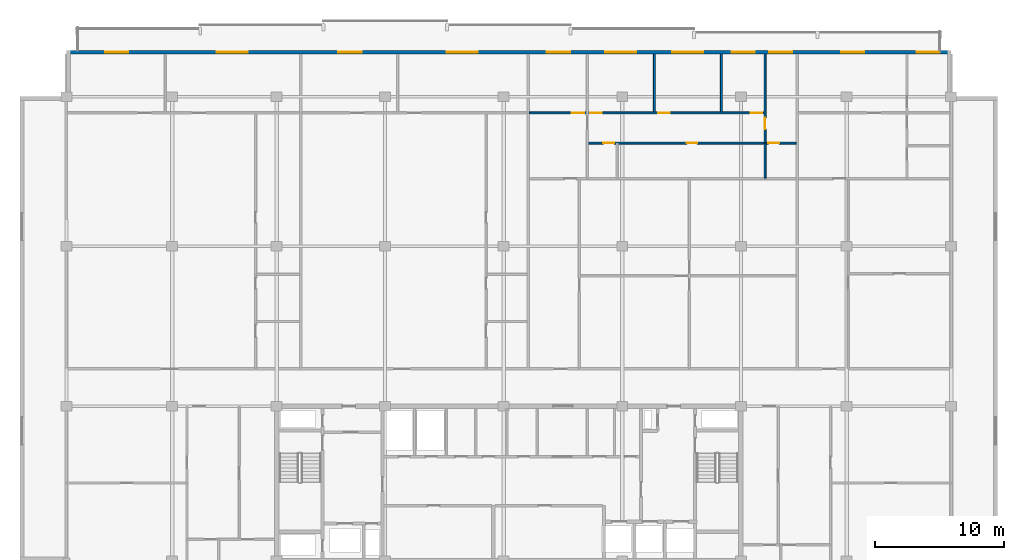
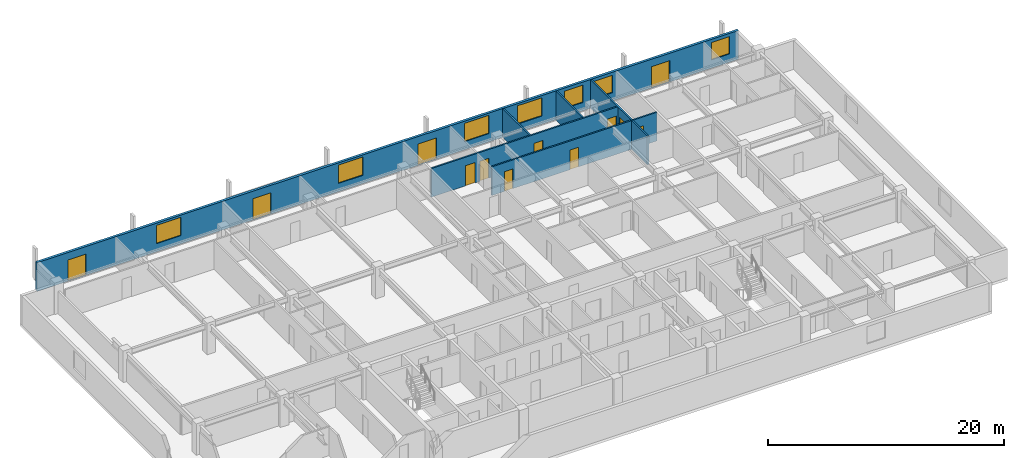
# One storey, part 15 of 22: 12 doors, 7 walls, 7 windows, 19 openings.
"""IFC4 building model written with IfcOpenShell, lengths in metres."""

from ifc_helpers import new_model, si_unit, direction, frame, frame_2d, origin, place, context, subcontext, project, spatial, rectangle, extrude, material, layer, layer_set, type_object, element, fill, save


model = new_model("IFC4")

# Units and contexts
model_context = context("Model", 3, precision=1e-05, world=origin(), true_north=direction((0.0, 1.0)))
body_context = subcontext(model_context, "Body", "Model", "MODEL_VIEW")
ifc_project = project(units=[si_unit("LENGTHUNIT", "METRE"), si_unit("AREAUNIT", "SQUARE_METRE"), si_unit("VOLUMEUNIT", "CUBIC_METRE"), si_unit("PLANEANGLEUNIT", "RADIAN"), si_unit("MASSUNIT", "GRAM", prefix="KILO")], contexts=[model_context])

# Site, building, storey
site_placement = place(None, origin())
site = spatial("IfcSite", under=ifc_project, at=site_placement, CompositionType="ELEMENT")
building_placement = place(site_placement, origin())
building = spatial("IfcBuilding", under=site, at=building_placement, Name="Korimba Cascade Residences", CompositionType="ELEMENT")
storey_placement = place(building_placement, frame((0.0, 0.0, 191.35009765625)))
storey = spatial("IfcBuildingStorey", under=building, at=storey_placement, Name="L55", CompositionType="ELEMENT", Elevation=191.35009765625)

# Wall, openings, doors, windows
ifc_material_1 = material(Name="Precast concrete C40/50", Category="concrete")
ifc_layer_1 = layer(ifc_material_1, 0.25)
ifc_layer_set_1 = layer_set([ifc_layer_1], Name="Precast concrete C40/50")
wall_type_1 = type_object("IfcWallType", Name="EW-LOG-250", PredefinedType="STANDARD", material=ifc_layer_set_1)
wall_1_placement = place(storey_placement, frame((128.39990234375, 94.64990234375, 0.0), z_axis=(0.0, 0.0, 1.0), x_axis=(-1.0, 0.0, 0.0)))
wall_1 = element("IfcWall", 1, at=wall_1_placement, inside=storey, type_object=wall_type_1, Name="L55 T1 Perimeter Stone Wall E06", PredefinedType="STANDARD", context=body_context, shape_type="SweptSolid", body=[
    extrude(rectangle(XDim=68.599853515625, YDim=0.25, at=frame_2d((34.2998046875, 0.0))), origin(), (0.0, 0.0, 1.0), 2.969970703125),
])
opening_1_placement = place(wall_1_placement, frame((63.807861328125, 0.0, 0.0)))
opening_1 = element("IfcOpeningElement", 2, at=opening_1_placement, cuts=wall_1, Name="Opening D-LG1", PredefinedType="OPENING", context=body_context, shape_type="SweptSolid", body=[
    extrude(rectangle(XDim=1.800048828125, YDim=2.199951171875, at=frame_2d((0.89990234375, 1.10009765625))), frame((0.0, 0.135009765625, 0.0), z_axis=(0.0, -1.0, 0.0), x_axis=(1.0, 0.0, 0.0)), (0.0, 0.0, 1.0), 0.27001953125),
])
opening_2_placement = place(wall_1_placement, frame((54.5439453125, 0.0, 0.85009765625)))
opening_2 = element("IfcOpeningElement", 3, at=opening_2_placement, cuts=wall_1, Name="Opening W-01", PredefinedType="OPENING", context=body_context, shape_type="SweptSolid", body=[
    extrude(rectangle(XDim=2.39990234375, YDim=1.89990234375, at=frame_2d((1.199951171875, 0.949951171875))), frame((0.0, 0.135009765625, 0.0), z_axis=(0.0, -1.0, 0.0), x_axis=(1.0, 0.0, 0.0)), (0.0, 0.0, 1.0), 0.27001953125),
])
opening_3_placement = place(wall_1_placement, frame((45.71337890625, 0.0, 0.0)))
opening_3 = element("IfcOpeningElement", 4, at=opening_3_placement, cuts=wall_1, Name="Opening D-LG1", PredefinedType="OPENING", context=body_context, shape_type="SweptSolid", body=[
    extrude(rectangle(XDim=1.800048828125, YDim=2.199951171875, at=frame_2d((0.89990234375, 1.10009765625))), frame((0.0, 0.135009765625, 0.0), z_axis=(0.0, -1.0, 0.0), x_axis=(1.0, 0.0, 0.0)), (0.0, 0.0, 1.0), 0.27001953125),
])
opening_4_placement = place(wall_1_placement, frame((36.7119140625, 0.0, 0.85009765625)))
opening_4 = element("IfcOpeningElement", 5, at=opening_4_placement, cuts=wall_1, Name="Opening W-01", PredefinedType="OPENING", context=body_context, shape_type="SweptSolid", body=[
    extrude(rectangle(XDim=2.39990234375, YDim=1.89990234375, at=frame_2d((1.199951171875, 0.949951171875))), frame((0.0, 0.135009765625, 0.0), z_axis=(0.0, -1.0, 0.0), x_axis=(1.0, 0.0, 0.0)), (0.0, 0.0, 1.0), 0.27001953125),
])
opening_5_placement = place(wall_1_placement, frame((24.40869140625, 0.0, 0.85009765625)))
opening_5 = element("IfcOpeningElement", 6, at=opening_5_placement, cuts=wall_1, Name="Opening W-01", PredefinedType="OPENING", context=body_context, shape_type="SweptSolid", body=[
    extrude(rectangle(XDim=2.39990234375, YDim=1.89990234375, at=frame_2d((1.199951171875, 0.949951171875))), frame((0.0, 0.135009765625, 0.0), z_axis=(0.0, -1.0, 0.0), x_axis=(1.0, 0.0, 0.0)), (0.0, 0.0, 1.0), 0.27001953125),
])
opening_6_placement = place(wall_1_placement, frame((19.20849609375, 0.0, 0.85009765625)))
opening_6 = element("IfcOpeningElement", 7, at=opening_6_placement, cuts=wall_1, Name="Opening W-01", PredefinedType="OPENING", context=body_context, shape_type="SweptSolid", body=[
    extrude(rectangle(XDim=2.39990234375, YDim=1.89990234375, at=frame_2d((1.199951171875, 0.949951171875))), frame((0.0, 0.135009765625, 0.0), z_axis=(0.0, -1.0, 0.0), x_axis=(1.0, 0.0, 0.0)), (0.0, 0.0, 1.0), 0.27001953125),
])
opening_7_placement = place(wall_1_placement, frame((15.21435546875, 0.0, 0.85009765625)))
opening_7 = element("IfcOpeningElement", 8, at=opening_7_placement, cuts=wall_1, Name="Opening W-02", PredefinedType="OPENING", context=body_context, shape_type="SweptSolid", body=[
    extrude(rectangle(XDim=1.800048828125, YDim=1.800048828125, at=frame_2d((0.89990234375, 0.89990234375))), frame((0.0, 0.135009765625, 0.0), z_axis=(0.0, -1.0, 0.0), x_axis=(1.0, 0.0, 0.0)), (0.0, 0.0, 1.0), 0.27001953125),
])
opening_8_placement = place(wall_1_placement, frame((29.53857421875, 0.0, 0.0)))
opening_8 = element("IfcOpeningElement", 9, at=opening_8_placement, cuts=wall_1, Name="Opening D-LG1", PredefinedType="OPENING", context=body_context, shape_type="SweptSolid", body=[
    extrude(rectangle(XDim=1.800048828125, YDim=2.199951171875, at=frame_2d((0.89990234375, 1.10009765625))), frame((0.0, 0.135009765625, 0.0), z_axis=(0.0, -1.0, 0.0), x_axis=(1.0, 0.0, 0.0)), (0.0, 0.0, 1.0), 0.27001953125),
])
opening_9_placement = place(wall_1_placement, frame((12.31884765625, 0.0, 0.85009765625)))
opening_9 = element("IfcOpeningElement", 10, at=opening_9_placement, cuts=wall_1, Name="Opening W-02", PredefinedType="OPENING", context=body_context, shape_type="SweptSolid", body=[
    extrude(rectangle(XDim=1.800048828125, YDim=1.800048828125, at=frame_2d((0.89990234375, 0.89990234375))), frame((0.0, 0.135009765625, 0.0), z_axis=(0.0, -1.0, 0.0), x_axis=(1.0, 0.0, 0.0)), (0.0, 0.0, 1.0), 0.27001953125),
])
opening_10_placement = place(wall_1_placement, frame((6.723876953125, 0.0, 0.0)))
opening_10 = element("IfcOpeningElement", 11, at=opening_10_placement, cuts=wall_1, Name="Opening D-LG1", PredefinedType="OPENING", context=body_context, shape_type="SweptSolid", body=[
    extrude(rectangle(XDim=1.800048828125, YDim=2.199951171875, at=frame_2d((0.89990234375, 1.10009765625))), frame((0.0, 0.135009765625, 0.0), z_axis=(0.0, -1.0, 0.0), x_axis=(1.0, 0.0, 0.0)), (0.0, 0.0, 1.0), 0.27001953125),
])
opening_11_placement = place(wall_1_placement, frame((0.8701171875, 0.0, 0.85009765625)))
opening_11 = element("IfcOpeningElement", 12, at=opening_11_placement, cuts=wall_1, Name="Opening W-02", PredefinedType="OPENING", context=body_context, shape_type="SweptSolid", body=[
    extrude(rectangle(XDim=1.800048828125, YDim=1.800048828125, at=frame_2d((0.89990234375, 0.89990234375))), frame((0.0, 0.135009765625, 0.0), z_axis=(0.0, -1.0, 0.0), x_axis=(1.0, 0.0, 0.0)), (0.0, 0.0, 1.0), 0.27001953125),
])
ifc_material_2 = material(Name="Glazed Aluminium Loggia Sliding Door", Category="aluminium")
door_type_1 = type_object("IfcDoorType", Name="DR-EXT-LOG", OperationType="NOTDEFINED", PredefinedType="DOOR", material=ifc_material_2)
door_1_placement = place(opening_1_placement, origin())
door_1 = element("IfcDoor", 13, at=door_1_placement, inside=storey, type_object=door_type_1, Name="L55 T1 Loggia Sliding Door 3", OperationType="SLIDING_TO_LEFT", OverallHeight=2.199951171875, OverallWidth=1.800048828125, PredefinedType="DOOR", context=body_context, shape_type="SweptSolid", body=[
    extrude(rectangle(XDim=1.800048828125, YDim=2.199951171875, at=frame_2d((0.89990234375, 1.10009765625))), frame((0.0, 0.02490234375, 0.0), z_axis=(0.0, -1.0, 0.0), x_axis=(1.0, 0.0, 0.0)), (0.0, 0.0, 1.0), 0.050048828125),
])
fill(opening_1, door_1)
door_2_placement = place(opening_3_placement, origin())
door_2 = element("IfcDoor", 14, at=door_2_placement, inside=storey, type_object=door_type_1, Name="L55 T1 Loggia Sliding Door 5", OperationType="SLIDING_TO_LEFT", OverallHeight=2.199951171875, OverallWidth=1.800048828125, PredefinedType="DOOR", context=body_context, shape_type="SweptSolid", body=[
    extrude(rectangle(XDim=1.800048828125, YDim=2.199951171875, at=frame_2d((0.89990234375, 1.10009765625))), frame((0.0, 0.02490234375, 0.0), z_axis=(0.0, -1.0, 0.0), x_axis=(1.0, 0.0, 0.0)), (0.0, 0.0, 1.0), 0.050048828125),
])
fill(opening_3, door_2)
door_3_placement = place(opening_8_placement, origin())
door_3 = element("IfcDoor", 15, at=door_3_placement, inside=storey, type_object=door_type_1, Name="L55 T1 Loggia Sliding Door 10", OperationType="SLIDING_TO_LEFT", OverallHeight=2.199951171875, OverallWidth=1.800048828125, PredefinedType="DOOR", context=body_context, shape_type="SweptSolid", body=[
    extrude(rectangle(XDim=1.800048828125, YDim=2.199951171875, at=frame_2d((0.89990234375, 1.10009765625))), frame((0.0, 0.02490234375, 0.0), z_axis=(0.0, -1.0, 0.0), x_axis=(1.0, 0.0, 0.0)), (0.0, 0.0, 1.0), 0.050048828125),
])
fill(opening_8, door_3)
door_4_placement = place(opening_10_placement, origin())
door_4 = element("IfcDoor", 16, at=door_4_placement, inside=storey, type_object=door_type_1, Name="L55 T1 Loggia Sliding Door 12", OperationType="SLIDING_TO_LEFT", OverallHeight=2.199951171875, OverallWidth=1.800048828125, PredefinedType="DOOR", context=body_context, shape_type="SweptSolid", body=[
    extrude(rectangle(XDim=1.800048828125, YDim=2.199951171875, at=frame_2d((0.89990234375, 1.10009765625))), frame((0.0, 0.02490234375, 0.0), z_axis=(0.0, -1.0, 0.0), x_axis=(1.0, 0.0, 0.0)), (0.0, 0.0, 1.0), 0.050048828125),
])
fill(opening_10, door_4)
ifc_material_3 = material(Name="Double-Glazed Aluminium Window", Category="aluminium")
window_type_1 = type_object("IfcWindowType", Name="WIN-BED-1800", PartitioningType="SINGLE_PANEL", PredefinedType="WINDOW", material=ifc_material_3)
window_1_placement = place(opening_7_placement, origin())
window_1 = element("IfcWindow", 17, at=window_1_placement, inside=storey, type_object=window_type_1, Name="L55 T1 North Facade Window 9", OverallHeight=1.800048828125, OverallWidth=1.800048828125, PartitioningType="SINGLE_PANEL", PredefinedType="WINDOW", context=body_context, shape_type="SweptSolid", body=[
    extrude(rectangle(XDim=1.800048828125, YDim=1.800048828125, at=frame_2d((0.89990234375, 0.89990234375))), frame((0.0, 0.030029296875, 0.0), z_axis=(0.0, -1.0, 0.0), x_axis=(1.0, 0.0, 0.0)), (0.0, 0.0, 1.0), 0.06005859375),
])
fill(opening_7, window_1)
window_2_placement = place(opening_9_placement, origin())
window_2 = element("IfcWindow", 18, at=window_2_placement, inside=storey, type_object=window_type_1, Name="L55 T1 North Facade Window 11", OverallHeight=1.800048828125, OverallWidth=1.800048828125, PartitioningType="SINGLE_PANEL", PredefinedType="WINDOW", context=body_context, shape_type="SweptSolid", body=[
    extrude(rectangle(XDim=1.800048828125, YDim=1.800048828125, at=frame_2d((0.89990234375, 0.89990234375))), frame((0.0, 0.030029296875, 0.0), z_axis=(0.0, -1.0, 0.0), x_axis=(1.0, 0.0, 0.0)), (0.0, 0.0, 1.0), 0.06005859375),
])
fill(opening_9, window_2)
window_3_placement = place(opening_11_placement, origin())
window_3 = element("IfcWindow", 19, at=window_3_placement, inside=storey, type_object=window_type_1, Name="L55 T1 North Facade Window 13", OverallHeight=1.800048828125, OverallWidth=1.800048828125, PartitioningType="SINGLE_PANEL", PredefinedType="WINDOW", context=body_context, shape_type="SweptSolid", body=[
    extrude(rectangle(XDim=1.800048828125, YDim=1.800048828125, at=frame_2d((0.89990234375, 0.89990234375))), frame((0.0, 0.030029296875, 0.0), z_axis=(0.0, -1.0, 0.0), x_axis=(1.0, 0.0, 0.0)), (0.0, 0.0, 1.0), 0.06005859375),
])
fill(opening_11, window_3)
window_type_2 = type_object("IfcWindowType", Name="WIN-RES-2400", PartitioningType="DOUBLE_PANEL_VERTICAL", PredefinedType="WINDOW", material=ifc_material_3)
window_4_placement = place(opening_2_placement, origin())
window_4 = element("IfcWindow", 20, at=window_4_placement, inside=storey, type_object=window_type_2, Name="L55 T1 North Facade Window 4", OverallHeight=1.89990234375, OverallWidth=2.39990234375, PartitioningType="DOUBLE_PANEL_VERTICAL", PredefinedType="WINDOW", context=body_context, shape_type="SweptSolid", body=[
    extrude(rectangle(XDim=2.39990234375, YDim=1.89990234375, at=frame_2d((1.199951171875, 0.949951171875))), frame((0.0, 0.030029296875, 0.0), z_axis=(0.0, -1.0, 0.0), x_axis=(1.0, 0.0, 0.0)), (0.0, 0.0, 1.0), 0.06005859375),
])
fill(opening_2, window_4)
window_5_placement = place(opening_4_placement, origin())
window_5 = element("IfcWindow", 21, at=window_5_placement, inside=storey, type_object=window_type_2, Name="L55 T1 North Facade Window 6", OverallHeight=1.89990234375, OverallWidth=2.39990234375, PartitioningType="DOUBLE_PANEL_VERTICAL", PredefinedType="WINDOW", context=body_context, shape_type="SweptSolid", body=[
    extrude(rectangle(XDim=2.39990234375, YDim=1.89990234375, at=frame_2d((1.199951171875, 0.949951171875))), frame((0.0, 0.030029296875, 0.0), z_axis=(0.0, -1.0, 0.0), x_axis=(1.0, 0.0, 0.0)), (0.0, 0.0, 1.0), 0.06005859375),
])
fill(opening_4, window_5)
window_6_placement = place(opening_5_placement, origin())
window_6 = element("IfcWindow", 22, at=window_6_placement, inside=storey, type_object=window_type_2, Name="L55 T1 North Facade Window 7", OverallHeight=1.89990234375, OverallWidth=2.39990234375, PartitioningType="DOUBLE_PANEL_VERTICAL", PredefinedType="WINDOW", context=body_context, shape_type="SweptSolid", body=[
    extrude(rectangle(XDim=2.39990234375, YDim=1.89990234375, at=frame_2d((1.199951171875, 0.949951171875))), frame((0.0, 0.030029296875, 0.0), z_axis=(0.0, -1.0, 0.0), x_axis=(1.0, 0.0, 0.0)), (0.0, 0.0, 1.0), 0.06005859375),
])
fill(opening_5, window_6)
window_7_placement = place(opening_6_placement, origin())
window_7 = element("IfcWindow", 23, at=window_7_placement, inside=storey, type_object=window_type_2, Name="L55 T1 North Facade Window 8", OverallHeight=1.89990234375, OverallWidth=2.39990234375, PartitioningType="DOUBLE_PANEL_VERTICAL", PredefinedType="WINDOW", context=body_context, shape_type="SweptSolid", body=[
    extrude(rectangle(XDim=2.39990234375, YDim=1.89990234375, at=frame_2d((1.199951171875, 0.949951171875))), frame((0.0, 0.030029296875, 0.0), z_axis=(0.0, -1.0, 0.0), x_axis=(1.0, 0.0, 0.0)), (0.0, 0.0, 1.0), 0.06005859375),
])
fill(opening_6, window_7)

# Walls
ifc_material_4 = material(Name="Insulated Acoustic Stud Partition", Category="gypsum")
ifc_layer_2 = layer(ifc_material_4, 0.14990234375)
ifc_layer_set_2 = layer_set([ifc_layer_2], Name="Insulated Acoustic Stud Partition")
wall_type_2 = type_object("IfcWallType", Name="WAL-PART-150", PredefinedType="PARTITIONING", material=ifc_layer_set_2)
for number, where, z_axis, x_axis, name in (
    (24, (105.391357421875, 90.030029296875, 0.0), (0.0, 0.0, 1.0), (0.0, 1.0, 0.0), "L55 Partition Wall WAL-L55-T1-U03-VB2"),
    (25, (110.59130859375, 90.030029296875, 0.0), (0.0, 0.0, 1.0), (0.0, 1.0, 0.0), "L55 Partition Wall WAL-L55-T1-U03-VB3"),
):
    element("IfcWall", number, at=place(storey_placement, frame(where, z_axis=z_axis, x_axis=x_axis)), inside=storey, type_object=wall_type_2, Name=name, PredefinedType="PARTITIONING", context=body_context, shape_type="SweptSolid", body=[
        extrude(rectangle(XDim=4.469970703125, YDim=0.14990234375, at=frame_2d((2.23486328125, 0.0))), origin(), (0.0, 0.0, 1.0), 2.969970703125),
    ])
wall_2_placement = place(storey_placement, frame((113.97998046875, 84.889892578125, 0.0), z_axis=(0.0, 0.0, 1.0), x_axis=(0.0, 1.0, 0.0)))
element("IfcWall", 26, at=wall_2_placement, inside=storey, type_object=wall_type_2, Name="L55 Partition Wall WAL-L55-T1-U03-VBATH", PredefinedType="PARTITIONING", context=body_context, shape_type="SweptSolid", body=[
    extrude(rectangle(XDim=2.690185546875, YDim=0.14990234375, at=frame_2d((1.34521484375, 0.0))), origin(), (0.0, 0.0, 1.0), 2.969970703125),
])

# Wall, opening, door
wall_3_placement = place(storey_placement, frame((113.97998046875, 87.6201171875, 0.0), z_axis=(0.0, 0.0, 1.0), x_axis=(0.0, 1.0, 0.0)))
wall_3 = element("IfcWall", 27, at=wall_3_placement, inside=storey, type_object=wall_type_2, Name="L55 Partition Wall WAL-L55-T1-U03-V2FULL", PredefinedType="PARTITIONING", context=body_context, shape_type="SweptSolid", body=[
    extrude(rectangle(XDim=6.8798828125, YDim=0.14990234375, at=frame_2d((3.43994140625, 0.0))), origin(), (0.0, 0.0, 1.0), 2.969970703125),
])
opening_12_placement = place(wall_3_placement, frame((1.040283203125, 0.0, 0.0)))
opening_12 = element("IfcOpeningElement", 28, at=opening_12_placement, cuts=wall_3, Name="Opening D-IN1", PredefinedType="OPENING", context=body_context, shape_type="SweptSolid", body=[
    extrude(rectangle(XDim=0.919921875, YDim=2.080078125, at=frame_2d((0.4599609375, 1.0400390625))), frame((0.0, 0.0849609375, 0.0), z_axis=(0.0, -1.0, 0.0), x_axis=(1.0, 0.0, 0.0)), (0.0, 0.0, 1.0), 0.169921875),
])
ifc_material_5 = material(Name="Acoustic Timber Living Door", Category="wood")
door_type_2 = type_object("IfcDoorType", Name="DR-INT-920", OperationType="NOTDEFINED", PredefinedType="DOOR", material=ifc_material_5)
door_5_placement = place(opening_12_placement, origin())
door_5 = element("IfcDoor", 29, at=door_5_placement, inside=storey, type_object=door_type_2, Name="L55-T1-U03 Master Bedroom Door", OperationType="SINGLE_SWING_RIGHT", OverallHeight=2.080078125, OverallWidth=0.919921875, PredefinedType="DOOR", context=body_context, shape_type="SweptSolid", body=[
    extrude(rectangle(XDim=0.919921875, YDim=2.080078125, at=frame_2d((0.4599609375, 1.0400390625))), frame((0.0, 0.02490234375, 0.0), z_axis=(0.0, -1.0, 0.0), x_axis=(1.0, 0.0, 0.0)), (0.0, 0.0, 1.0), 0.050048828125),
])
fill(opening_12, door_5)

# Wall, openings, doors
wall_4_placement = place(storey_placement, frame((100.2314453125, 87.60009765625, 0.0), z_axis=(0.0, 0.0, 1.0), x_axis=(1.0, 0.0, 0.0)))
wall_4 = element("IfcWall", 30, at=wall_4_placement, inside=storey, type_object=wall_type_2, Name="L55 Partition Wall WAL-L55-T1-U03-HWALL", PredefinedType="PARTITIONING", context=body_context, shape_type="SweptSolid", body=[
    extrude(rectangle(XDim=16.140869140625, YDim=0.14990234375, at=frame_2d((8.0703125, 0.0))), origin(), (0.0, 0.0, 1.0), 2.969970703125),
])
opening_13_placement = place(wall_4_placement, frame((1.2099609375, 0.0, 0.0)))
opening_13 = element("IfcOpeningElement", 31, at=opening_13_placement, cuts=wall_4, Name="Opening D-BT1", PredefinedType="OPENING", context=body_context, shape_type="SweptSolid", body=[
    extrude(rectangle(XDim=0.840087890625, YDim=2.0400390625, at=frame_2d((0.419921875, 1.02001953125))), frame((0.0, 0.0849609375, 0.0), z_axis=(0.0, -1.0, 0.0), x_axis=(1.0, 0.0, 0.0)), (0.0, 0.0, 1.0), 0.169921875),
])
opening_14_placement = place(wall_4_placement, frame((7.650390625, 0.0, 0.0)))
opening_14 = element("IfcOpeningElement", 32, at=opening_14_placement, cuts=wall_4, Name="Opening D-BT1", PredefinedType="OPENING", context=body_context, shape_type="SweptSolid", body=[
    extrude(rectangle(XDim=0.840087890625, YDim=2.0400390625, at=frame_2d((0.419921875, 1.02001953125))), frame((0.0, 0.0849609375, 0.0), z_axis=(0.0, -1.0, 0.0), x_axis=(1.0, 0.0, 0.0)), (0.0, 0.0, 1.0), 0.169921875),
])
opening_15_placement = place(wall_4_placement, frame((13.99853515625, 0.0, 0.0)))
opening_15 = element("IfcOpeningElement", 33, at=opening_15_placement, cuts=wall_4, Name="Opening D-BT1", PredefinedType="OPENING", context=body_context, shape_type="SweptSolid", body=[
    extrude(rectangle(XDim=0.840087890625, YDim=2.0400390625, at=frame_2d((0.419921875, 1.02001953125))), frame((0.0, 0.0849609375, 0.0), z_axis=(0.0, -1.0, 0.0), x_axis=(1.0, 0.0, 0.0)), (0.0, 0.0, 1.0), 0.169921875),
])
ifc_material_6 = material(Name="Moisture-Resistant Bathroom Timber Door", Category="wood")
door_type_3 = type_object("IfcDoorType", Name="DR-INT-850", OperationType="NOTDEFINED", PredefinedType="DOOR", material=ifc_material_6)
door_6_placement = place(opening_13_placement, origin())
door_6 = element("IfcDoor", 34, at=door_6_placement, inside=storey, type_object=door_type_3, Name="L55-T1-U03 Family Bathroom Door", OperationType="SINGLE_SWING_LEFT", OverallHeight=2.0400390625, OverallWidth=0.840087890625, PredefinedType="DOOR", context=body_context, shape_type="SweptSolid", body=[
    extrude(rectangle(XDim=0.840087890625, YDim=2.0400390625, at=frame_2d((0.419921875, 1.02001953125))), frame((0.0, 0.02490234375, 0.0), z_axis=(0.0, -1.0, 0.0), x_axis=(1.0, 0.0, 0.0)), (0.0, 0.0, 1.0), 0.050048828125),
])
fill(opening_13, door_6)
door_7_placement = place(opening_14_placement, origin())
door_7 = element("IfcDoor", 35, at=door_7_placement, inside=storey, type_object=door_type_3, Name="L55-T1-U03 Dressing Room Door", OperationType="SINGLE_SWING_RIGHT", OverallHeight=2.0400390625, OverallWidth=0.840087890625, PredefinedType="DOOR", context=body_context, shape_type="SweptSolid", body=[
    extrude(rectangle(XDim=0.840087890625, YDim=2.0400390625, at=frame_2d((0.419921875, 1.02001953125))), frame((0.0, 0.02490234375, 0.0), z_axis=(0.0, -1.0, 0.0), x_axis=(1.0, 0.0, 0.0)), (0.0, 0.0, 1.0), 0.050048828125),
])
fill(opening_14, door_7)
door_8_placement = place(opening_15_placement, origin())
door_8 = element("IfcDoor", 36, at=door_8_placement, inside=storey, type_object=door_type_3, Name="L55-T1-U03 En-Suite Door", OperationType="SINGLE_SWING_LEFT", OverallHeight=2.0400390625, OverallWidth=0.840087890625, PredefinedType="DOOR", context=body_context, shape_type="SweptSolid", body=[
    extrude(rectangle(XDim=0.840087890625, YDim=2.0400390625, at=frame_2d((0.419921875, 1.02001953125))), frame((0.0, 0.02490234375, 0.0), z_axis=(0.0, -1.0, 0.0), x_axis=(1.0, 0.0, 0.0)), (0.0, 0.0, 1.0), 0.050048828125),
])
fill(opening_15, door_8)

wall_5_placement = place(storey_placement, frame((95.69140625, 89.949951171875, 0.0), z_axis=(0.0, 0.0, 1.0), x_axis=(1.0, 0.0, 0.0)))
wall_5 = element("IfcWall", 37, at=wall_5_placement, inside=storey, type_object=wall_type_2, Name="L55 Partition Wall WAL-L55-T1-U03-HZ", PredefinedType="PARTITIONING", context=body_context, shape_type="SweptSolid", body=[
    extrude(rectangle(XDim=18.28857421875, YDim=0.14990234375, at=frame_2d((9.144287109375, 0.0))), origin(), (0.0, 0.0, 1.0), 2.969970703125),
])
opening_16_placement = place(wall_5_placement, frame((3.31005859375, 0.0, 0.0)))
opening_16 = element("IfcOpeningElement", 38, at=opening_16_placement, cuts=wall_5, Name="Opening D-IN0", PredefinedType="OPENING", context=body_context, shape_type="SweptSolid", body=[
    extrude(rectangle(XDim=0.93994140625, YDim=2.10009765625, at=frame_2d((0.469970703125, 1.050048828125))), frame((0.0, 0.0849609375, 0.0), z_axis=(0.0, -1.0, 0.0), x_axis=(1.0, 0.0, 0.0)), (0.0, 0.0, 1.0), 0.169921875),
])
opening_17_placement = place(wall_5_placement, frame((4.719970703125, 0.0, 0.0)))
opening_17 = element("IfcOpeningElement", 39, at=opening_17_placement, cuts=wall_5, Name="Opening D-IN2", PredefinedType="OPENING", context=body_context, shape_type="SweptSolid", body=[
    extrude(rectangle(XDim=0.8798828125, YDim=2.06005859375, at=frame_2d((0.43994140625, 1.030029296875))), frame((0.0, 0.0849609375, 0.0), z_axis=(0.0, -1.0, 0.0), x_axis=(1.0, 0.0, 0.0)), (0.0, 0.0, 1.0), 0.169921875),
])
opening_18_placement = place(wall_5_placement, frame((9.99755859375, 0.0, 0.0)))
opening_18 = element("IfcOpeningElement", 40, at=opening_18_placement, cuts=wall_5, Name="Opening D-IN2", PredefinedType="OPENING", context=body_context, shape_type="SweptSolid", body=[
    extrude(rectangle(XDim=0.8798828125, YDim=2.06005859375, at=frame_2d((0.43994140625, 1.030029296875))), frame((0.0, 0.0849609375, 0.0), z_axis=(0.0, -1.0, 0.0), x_axis=(1.0, 0.0, 0.0)), (0.0, 0.0, 1.0), 0.169921875),
])
opening_19_placement = place(wall_5_placement, frame((17.188720703125, 0.0, 0.0)))
opening_19 = element("IfcOpeningElement", 41, at=opening_19_placement, cuts=wall_5, Name="Opening D-IN2", PredefinedType="OPENING", context=body_context, shape_type="SweptSolid", body=[
    extrude(rectangle(XDim=0.8798828125, YDim=2.06005859375, at=frame_2d((0.43994140625, 1.030029296875))), frame((0.0, 0.0849609375, 0.0), z_axis=(0.0, -1.0, 0.0), x_axis=(1.0, 0.0, 0.0)), (0.0, 0.0, 1.0), 0.169921875),
])
ifc_material_7 = material(Name="Acoustic Timber Bedroom Door", Category="wood")
door_type_4 = type_object("IfcDoorType", Name="DR-INT-880", OperationType="NOTDEFINED", PredefinedType="DOOR", material=ifc_material_7)
door_9_placement = place(opening_17_placement, origin())
door_9 = element("IfcDoor", 42, at=door_9_placement, inside=storey, type_object=door_type_4, Name="L55-T1-U03 Bedroom 2 Door", OperationType="SINGLE_SWING_RIGHT", OverallHeight=2.06005859375, OverallWidth=0.8798828125, PredefinedType="DOOR", context=body_context, shape_type="SweptSolid", body=[
    extrude(rectangle(XDim=0.8798828125, YDim=2.06005859375, at=frame_2d((0.43994140625, 1.030029296875))), frame((0.0, 0.02490234375, 0.0), z_axis=(0.0, -1.0, 0.0), x_axis=(1.0, 0.0, 0.0)), (0.0, 0.0, 1.0), 0.050048828125),
])
fill(opening_17, door_9)
door_10_placement = place(opening_18_placement, origin())
door_10 = element("IfcDoor", 43, at=door_10_placement, inside=storey, type_object=door_type_4, Name="L55-T1-U03 Bedroom 3 Door", OperationType="SINGLE_SWING_LEFT", OverallHeight=2.06005859375, OverallWidth=0.8798828125, PredefinedType="DOOR", context=body_context, shape_type="SweptSolid", body=[
    extrude(rectangle(XDim=0.8798828125, YDim=2.06005859375, at=frame_2d((0.43994140625, 1.030029296875))), frame((0.0, 0.02490234375, 0.0), z_axis=(0.0, -1.0, 0.0), x_axis=(1.0, 0.0, 0.0)), (0.0, 0.0, 1.0), 0.050048828125),
])
fill(opening_18, door_10)
door_11_placement = place(opening_19_placement, origin())
door_11 = element("IfcDoor", 44, at=door_11_placement, inside=storey, type_object=door_type_4, Name="L55-T1-U03 Study Door", OperationType="SINGLE_SWING_RIGHT", OverallHeight=2.06005859375, OverallWidth=0.8798828125, PredefinedType="DOOR", context=body_context, shape_type="SweptSolid", body=[
    extrude(rectangle(XDim=0.8798828125, YDim=2.06005859375, at=frame_2d((0.43994140625, 1.030029296875))), frame((0.0, 0.02490234375, 0.0), z_axis=(0.0, -1.0, 0.0), x_axis=(1.0, 0.0, 0.0)), (0.0, 0.0, 1.0), 0.050048828125),
])
fill(opening_19, door_11)
ifc_material_8 = material(Name="Acoustic Timber Living Archway Door", Category="wood")
door_type_5 = type_object("IfcDoorType", Name="DR-INT-950", OperationType="NOTDEFINED", PredefinedType="DOOR", material=ifc_material_8)
door_12_placement = place(opening_16_placement, origin())
door_12 = element("IfcDoor", 45, at=door_12_placement, inside=storey, type_object=door_type_5, Name="L55-T1-U03 Living Room Door", OperationType="SINGLE_SWING_LEFT", OverallHeight=2.10009765625, OverallWidth=0.93994140625, PredefinedType="DOOR", context=body_context, shape_type="SweptSolid", body=[
    extrude(rectangle(XDim=0.93994140625, YDim=2.10009765625, at=frame_2d((0.469970703125, 1.050048828125))), frame((0.0, 0.02490234375, 0.0), z_axis=(0.0, -1.0, 0.0), x_axis=(1.0, 0.0, 0.0)), (0.0, 0.0, 1.0), 0.050048828125),
])
fill(opening_16, door_12)

save(model, "model.ifc")
